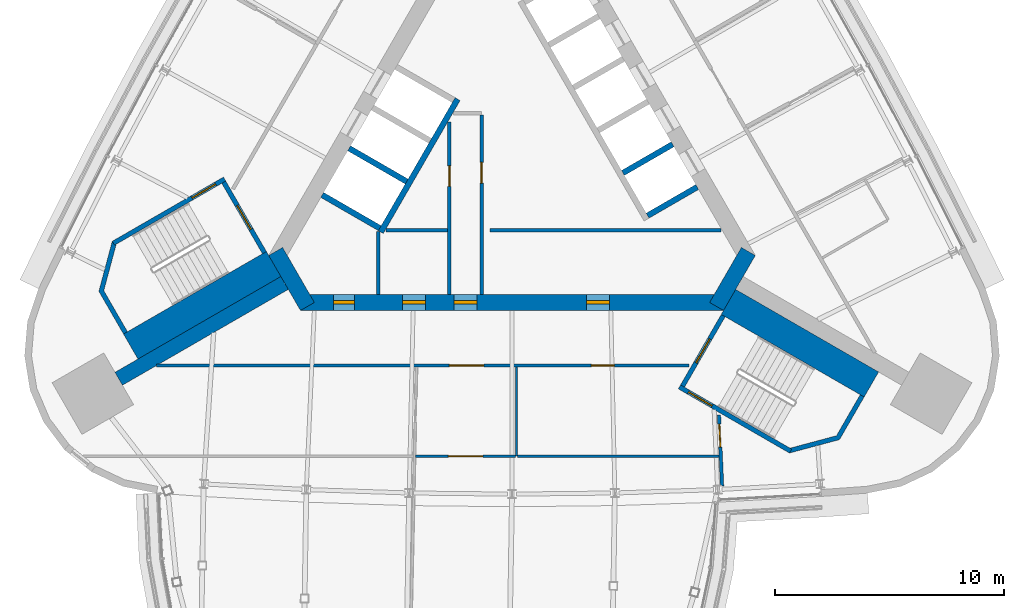
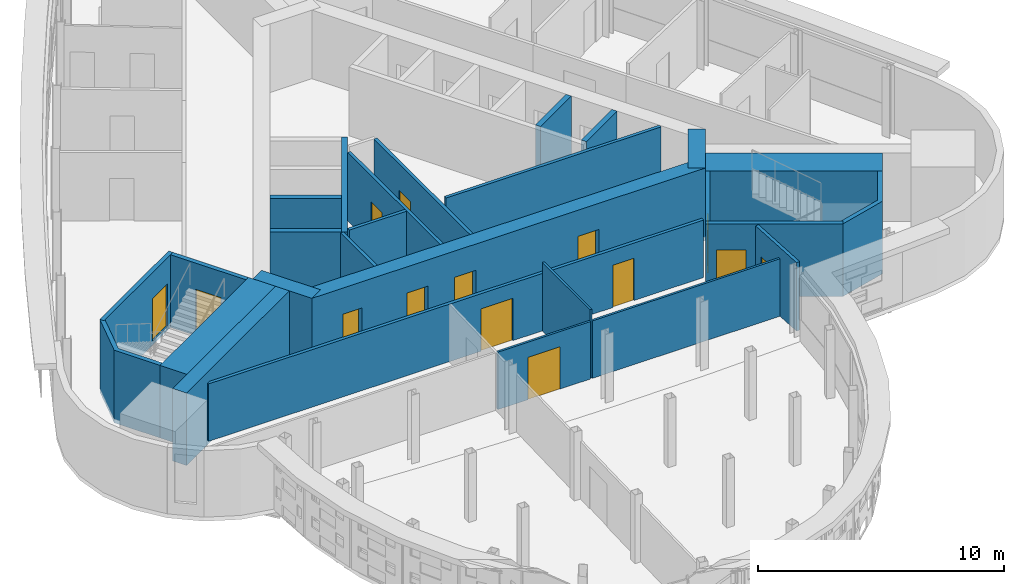
# One storey, part 9 of 14: 27 walls, 14 doors, 14 openings.
"""IFC4 building model written with IfcOpenShell, lengths in metres."""

from ifc_helpers import new_model, si_unit, direction, frame, frame_2d, origin, place, context, subcontext, project, spatial, polyline, rectangle, outline, extrude, material, layer, layer_set, type_object, element, fill, save


model = new_model("IFC4")

# Units and contexts
model_context = context("Model", 3, precision=1e-05, world=origin(), true_north=direction((0.0, 1.0)))
body_context = subcontext(model_context, "Body", "Model", "MODEL_VIEW")
ifc_project = project(units=[si_unit("LENGTHUNIT", "METRE"), si_unit("AREAUNIT", "SQUARE_METRE"), si_unit("VOLUMEUNIT", "CUBIC_METRE"), si_unit("PLANEANGLEUNIT", "RADIAN"), si_unit("MASSUNIT", "GRAM", prefix="KILO")], contexts=[model_context])

# Site, building, storey
site_placement = place(None, origin())
site = spatial("IfcSite", under=ifc_project, at=site_placement, CompositionType="ELEMENT")
building_placement = place(site_placement, origin())
building = spatial("IfcBuilding", under=site, at=building_placement, Name="Noor Cloister Tower", CompositionType="ELEMENT")
storey_placement = place(building_placement, frame((0.0, 0.0, 218.39990234375)))
storey = spatial("IfcBuildingStorey", under=building, at=storey_placement, Name="L56", CompositionType="ELEMENT", Elevation=218.39990234375)

# Walls
ifc_material_1 = material(Name="Concrete C60/75", Category="concrete")
ifc_layer_1 = layer(ifc_material_1, 0.64990234375)
ifc_layer_set_1 = layer_set([ifc_layer_1], Name="Buttress wall 650 C60/75")
wall_type_1 = type_object("IfcWallType", Name="Buttress wall 650 C60/75", PredefinedType="SHEAR", material=ifc_layer_set_1)
wall_1_placement = place(storey_placement, frame((-9.921630859375, -5.728271484375, -0.199951171875), z_axis=(0.0, 0.0, 1.0), x_axis=(-0.866030911543, -0.499990460161, 0.0)))
element("IfcWall", 1, at=wall_1_placement, inside=storey, type_object=wall_type_1, Name="Buttress wall SW L56", PredefinedType="SHEAR", context=body_context, shape_type="SweptSolid", body=[
    extrude(rectangle(XDim=8.358642578125, YDim=0.64990234375, at=frame_2d((4.17919921875, 0.0))), origin(), (0.0, 0.0, 1.0), 3.60009765625),
])
ifc_material_2 = material(Name="Concrete C30/37", Category="concrete")
ifc_layer_2 = layer(ifc_material_2, 0.14990234375)
ifc_layer_set_2 = layer_set([ifc_layer_2], Name="Core partition 150 C30/37")
wall_type_2 = type_object("IfcWallType", Name="Core partition 150 C30/37", PredefinedType="PARTITIONING", material=ifc_layer_set_2)
wall_2_placement = place(storey_placement, frame((-5.82861328125, -3.492431640625, 0.0), z_axis=(0.0, 0.0, 1.0), x_axis=(0.0, -1.0, 0.0)))
element("IfcWall", 2, at=wall_2_placement, inside=storey, type_object=wall_type_2, Name="Core room partition L56 1", PredefinedType="PARTITIONING", context=body_context, shape_type="SweptSolid", body=[
    extrude(rectangle(XDim=2.73583984375, YDim=0.14990234375, at=frame_2d((1.367919921875, 0.0))), origin(), (0.0, 0.0, 1.0), 3.400146484375),
])
wall_3_placement = place(storey_placement, frame((-5.48876953125, -3.42822265625, 0.0), z_axis=(0.0, 0.0, 1.0), x_axis=(1.0, 0.0, 0.0)))
element("IfcWall", 3, at=wall_3_placement, inside=storey, type_object=wall_type_2, Name="Core room partition L56 2", PredefinedType="PARTITIONING", context=body_context, shape_type="SweptSolid", body=[
    extrude(rectangle(XDim=2.68505859375, YDim=0.14990234375, at=frame_2d((1.342529296875, 0.0))), origin(), (0.0, 0.0, 1.0), 3.400146484375),
])

# Wall, opening, door
wall_4_placement = place(storey_placement, frame((-2.728759765625, 1.300048828125, 0.0), z_axis=(0.0, 0.0, 1.0), x_axis=(0.0, -1.0, 0.0)))
wall_4 = element("IfcWall", 4, at=wall_4_placement, inside=storey, type_object=wall_type_2, Name="Core room partition L56 3", PredefinedType="PARTITIONING", context=body_context, shape_type="SweptSolid", body=[
    extrude(rectangle(XDim=7.5283203125, YDim=0.14990234375, at=frame_2d((3.76416015625, 0.0))), origin(), (0.0, 0.0, 1.0), 3.400146484375),
])
opening_1_placement = place(wall_4_placement, frame((1.915283203125, 0.0, 0.0)))
opening_1 = element("IfcOpeningElement", 5, at=opening_1_placement, cuts=wall_4, Name="Opening L56-905", PredefinedType="OPENING", context=body_context, shape_type="SweptSolid", body=[
    extrude(rectangle(XDim=0.89990234375, YDim=2.10009765625, at=frame_2d((0.449951171875, 1.050048828125))), frame((0.0, 0.0849609375, 0.0), z_axis=(0.0, -1.0, 0.0), x_axis=(1.0, 0.0, 0.0)), (0.0, 0.0, 1.0), 0.169921875),
])
ifc_material_3 = material(Name="Steel", Category="steel")
door_type_1 = type_object("IfcDoorType", Name="Core door 900 x 2100 FD120", OperationType="SINGLE_SWING_LEFT", PredefinedType="DOOR", material=ifc_material_3)
door_1_placement = place(opening_1_placement, origin())
door_1 = element("IfcDoor", 6, at=door_1_placement, inside=storey, type_object=door_type_1, Name="Core door 5 L56", OperationType="SINGLE_SWING_LEFT", OverallHeight=2.10009765625, OverallWidth=0.89990234375, PredefinedType="DOOR", context=body_context, shape_type="SweptSolid", body=[
    extrude(rectangle(XDim=0.89990234375, YDim=2.10009765625, at=frame_2d((0.449951171875, 1.050048828125))), frame((0.0, 0.02490234375, 0.0), z_axis=(0.0, -1.0, 0.0), x_axis=(1.0, 0.0, 0.0)), (0.0, 0.0, 1.0), 0.050048828125),
])
fill(opening_1, door_1)

wall_5_placement = place(storey_placement, frame((-1.32861328125, 1.5966796875, 0.0), z_axis=(0.0, 0.0, 1.0), x_axis=(0.0, -1.0, 0.0)))
wall_5 = element("IfcWall", 7, at=wall_5_placement, inside=storey, type_object=wall_type_2, Name="Core room partition L56 5", PredefinedType="PARTITIONING", context=body_context, shape_type="SweptSolid", body=[
    extrude(rectangle(XDim=7.824951171875, YDim=0.14990234375, at=frame_2d((3.91259765625, 0.0))), origin(), (0.0, 0.0, 1.0), 3.400146484375),
])
opening_2_placement = place(wall_5_placement, frame((2.0634765625, 0.0, 0.0)))
opening_2 = element("IfcOpeningElement", 8, at=opening_2_placement, cuts=wall_5, Name="Opening L56-906", PredefinedType="OPENING", context=body_context, shape_type="SweptSolid", body=[
    extrude(rectangle(XDim=0.89990234375, YDim=2.10009765625, at=frame_2d((0.449951171875, 1.050048828125))), frame((0.0, 0.0849609375, 0.0), z_axis=(0.0, -1.0, 0.0), x_axis=(1.0, 0.0, 0.0)), (0.0, 0.0, 1.0), 0.169921875),
])
door_2_placement = place(opening_2_placement, origin())
door_2 = element("IfcDoor", 9, at=door_2_placement, inside=storey, type_object=door_type_1, Name="Core door 6 L56", OperationType="SINGLE_SWING_RIGHT", OverallHeight=2.10009765625, OverallWidth=0.89990234375, PredefinedType="DOOR", context=body_context, shape_type="SweptSolid", body=[
    extrude(rectangle(XDim=0.89990234375, YDim=2.10009765625, at=frame_2d((0.449951171875, 1.050048828125))), frame((0.0, 0.02490234375, 0.0), z_axis=(0.0, -1.0, 0.0), x_axis=(1.0, 0.0, 0.0)), (0.0, 0.0, 1.0), 0.050048828125),
])
fill(opening_2, door_2)

# Wall
wall_6_placement = place(storey_placement, frame((-0.95361328125, -3.42822265625, 0.0), z_axis=(0.0, 0.0, 1.0), x_axis=(1.0, 0.0, 0.0)))
element("IfcWall", 10, at=wall_6_placement, inside=storey, type_object=wall_type_2, Name="Core room partition L56 6", PredefinedType="PARTITIONING", context=body_context, shape_type="SweptSolid", body=[
    extrude(rectangle(XDim=10.07958984375, YDim=0.14990234375, at=frame_2d((5.039794921875, 0.0))), origin(), (0.0, 0.0, 1.0), 3.400146484375),
])

# Wall, openings, doors
ifc_material_4 = material(Name="Concrete C60/75", Category="concrete")
ifc_layer_3 = layer(ifc_material_4, 0.699951171875)
ifc_layer_set_3 = layer_set([ifc_layer_3], Name="Core wall 700 C60/75")
wall_type_3 = type_object("IfcWallType", Name="Core wall 700 C60/75", PredefinedType="SHEAR", material=ifc_layer_set_3)
wall_7_placement = place(storey_placement, frame((-9.228759765625, -6.578125, -0.199951171875), z_axis=(0.0, 0.0, 1.0), x_axis=(1.0, 0.0, 0.0)))
wall_7 = element("IfcWall", 11, at=wall_7_placement, inside=storey, type_object=wall_type_3, Name="Core wall L56 1", PredefinedType="SHEAR", context=body_context, shape_type="SweptSolid", body=[
    extrude(rectangle(XDim=18.45751953125, YDim=0.699951171875, at=frame_2d((9.228759765625, 0.0))), origin(), (0.0, 0.0, 1.0), 3.60009765625),
])
opening_3_placement = place(wall_7_placement, frame((6.699951171875, 0.0, 0.199951171875)))
opening_3 = element("IfcOpeningElement", 12, at=opening_3_placement, cuts=wall_7, Name="Opening L56-901", PredefinedType="OPENING", context=body_context, shape_type="SweptSolid", body=[
    extrude(rectangle(XDim=1.0, YDim=2.10009765625, at=frame_2d((0.5, 1.050048828125))), frame((0.0, 0.35986328125, 0.0), z_axis=(0.0, -1.0, 0.0), x_axis=(1.0, 0.0, 0.0)), (0.0, 0.0, 1.0), 0.719970703125),
])
opening_4_placement = place(wall_7_placement, frame((1.451904296875, 0.0, 0.199951171875)))
opening_4 = element("IfcOpeningElement", 13, at=opening_4_placement, cuts=wall_7, Name="Opening L56-902", PredefinedType="OPENING", context=body_context, shape_type="SweptSolid", body=[
    extrude(rectangle(XDim=0.89990234375, YDim=2.10009765625, at=frame_2d((0.449951171875, 1.050048828125))), frame((0.0, 0.35986328125, 0.0), z_axis=(0.0, -1.0, 0.0), x_axis=(1.0, 0.0, 0.0)), (0.0, 0.0, 1.0), 0.719970703125),
])
opening_5_placement = place(wall_7_placement, frame((4.449951171875, 0.0, 0.199951171875)))
opening_5 = element("IfcOpeningElement", 14, at=opening_5_placement, cuts=wall_7, Name="Opening L56-903", PredefinedType="OPENING", context=body_context, shape_type="SweptSolid", body=[
    extrude(rectangle(XDim=1.0, YDim=2.10009765625, at=frame_2d((0.5, 1.050048828125))), frame((0.0, 0.35986328125, 0.0), z_axis=(0.0, -1.0, 0.0), x_axis=(1.0, 0.0, 0.0)), (0.0, 0.0, 1.0), 0.719970703125),
])
opening_6_placement = place(wall_7_placement, frame((12.4765625, 0.0, 0.199951171875)))
opening_6 = element("IfcOpeningElement", 15, at=opening_6_placement, cuts=wall_7, Name="Opening L56-904", PredefinedType="OPENING", context=body_context, shape_type="SweptSolid", body=[
    extrude(rectangle(XDim=1.0, YDim=2.10009765625, at=frame_2d((0.5, 1.050048828125))), frame((0.0, 0.35986328125, 0.0), z_axis=(0.0, -1.0, 0.0), x_axis=(1.0, 0.0, 0.0)), (0.0, 0.0, 1.0), 0.719970703125),
])
ifc_material_5 = material(Name="Steel", Category="steel")
door_type_2 = type_object("IfcDoorType", Name="Core door 1000 x 2100 FD120", OperationType="SINGLE_SWING_LEFT", PredefinedType="DOOR", material=ifc_material_5)
door_3_placement = place(opening_3_placement, origin())
door_3 = element("IfcDoor", 16, at=door_3_placement, inside=storey, type_object=door_type_2, Name="Core door 1 L56", OperationType="SINGLE_SWING_LEFT", OverallHeight=2.10009765625, OverallWidth=1.0, PredefinedType="DOOR", context=body_context, shape_type="SweptSolid", body=[
    extrude(rectangle(XDim=1.0, YDim=2.10009765625, at=frame_2d((0.5, 1.050048828125))), frame((0.0, 0.074951171875, 0.0), z_axis=(0.0, -1.0, 0.0), x_axis=(1.0, 0.0, 0.0)), (0.0, 0.0, 1.0), 0.14990234375),
])
fill(opening_3, door_3)
ifc_material_6 = material(Name="Steel", Category="steel")
door_type_3 = type_object("IfcDoorType", Name="Core door 1000 x 2100 FD60", OperationType="SINGLE_SWING_LEFT", PredefinedType="DOOR", material=ifc_material_6)
door_4_placement = place(opening_5_placement, origin())
door_4 = element("IfcDoor", 17, at=door_4_placement, inside=storey, type_object=door_type_3, Name="Core door 3 L56", OperationType="SINGLE_SWING_LEFT", OverallHeight=2.10009765625, OverallWidth=1.0, PredefinedType="DOOR", context=body_context, shape_type="SweptSolid", body=[
    extrude(rectangle(XDim=1.0, YDim=2.10009765625, at=frame_2d((0.5, 1.050048828125))), frame((0.0, 0.074951171875, 0.0), z_axis=(0.0, -1.0, 0.0), x_axis=(1.0, 0.0, 0.0)), (0.0, 0.0, 1.0), 0.14990234375),
])
fill(opening_5, door_4)
door_5_placement = place(opening_6_placement, origin())
door_5 = element("IfcDoor", 18, at=door_5_placement, inside=storey, type_object=door_type_3, Name="Core door 4 L56", OperationType="SINGLE_SWING_RIGHT", OverallHeight=2.10009765625, OverallWidth=1.0, PredefinedType="DOOR", context=body_context, shape_type="SweptSolid", body=[
    extrude(rectangle(XDim=1.0, YDim=2.10009765625, at=frame_2d((0.5, 1.050048828125))), frame((0.0, 0.074951171875, 0.0), z_axis=(0.0, -1.0, 0.0), x_axis=(1.0, 0.0, 0.0)), (0.0, 0.0, 1.0), 0.14990234375),
])
fill(opening_6, door_5)
ifc_material_7 = material(Name="Steel", Category="steel")
door_type_4 = type_object("IfcDoorType", Name="Core door 900 x 2100 FD60", OperationType="SINGLE_SWING_LEFT", PredefinedType="DOOR", material=ifc_material_7)
door_6_placement = place(opening_4_placement, origin())
door_6 = element("IfcDoor", 19, at=door_6_placement, inside=storey, type_object=door_type_4, Name="Core door 2 L56", OperationType="SINGLE_SWING_RIGHT", OverallHeight=2.10009765625, OverallWidth=0.89990234375, PredefinedType="DOOR", context=body_context, shape_type="SweptSolid", body=[
    extrude(rectangle(XDim=0.89990234375, YDim=2.10009765625, at=frame_2d((0.449951171875, 1.050048828125))), frame((0.0, 0.074951171875, 0.0), z_axis=(0.0, -1.0, 0.0), x_axis=(1.0, 0.0, 0.0)), (0.0, 0.0, 1.0), 0.14990234375),
])
fill(opening_4, door_6)

# Walls
for number, where, z_axis, x_axis, name in (
    (20, (8.925537109375, -6.753173828125, -0.199951171875), (0.0, 0.0, 1.0), (0.500042739161, 0.866000726912, 0.0), "Core wall L56 2"),
    (21, (-10.311279296875, -4.353271484375, -0.199951171875), (0.0, 0.0, 1.0), (0.500042739161, -0.866000726912, 0.0), "Core wall L56 6"),
):
    element("IfcWall", number, at=place(storey_placement, frame(where, z_axis=z_axis, x_axis=x_axis)), inside=storey, type_object=wall_type_3, Name=name, PredefinedType="SHEAR", context=body_context, shape_type="SweptSolid", body=[
        extrude(rectangle(XDim=2.771240234375, YDim=0.699951171875, at=frame_2d((1.3857421875, 0.0))), origin(), (0.0, 0.0, 1.0), 3.60009765625),
    ])

# Wall, openings, doors
ifc_material_8 = material(Name="Gypsum board partition on steel studs, 150 mm", Category="steel")
ifc_layer_4 = layer(ifc_material_8, 0.14990234375)
ifc_layer_set_4 = layer_set([ifc_layer_4], Name="Flat wall 150")
wall_type_4 = type_object("IfcWallType", Name="Flat wall 150", PredefinedType="PARTITIONING", material=ifc_layer_set_4)
wall_8_placement = place(storey_placement, frame((-15.5068359375, -9.328125, 0.0), z_axis=(0.0, 0.0, 1.0), x_axis=(1.0, 0.0, 0.0)))
wall_8 = element("IfcWall", 22, at=wall_8_placement, inside=storey, type_object=wall_type_4, Name="Wall L56-W11", PredefinedType="PARTITIONING", context=body_context, shape_type="SweptSolid", body=[
    extrude(rectangle(XDim=23.234375, YDim=0.14990234375, at=frame_2d((11.6171875, 0.0))), origin(), (0.0, 0.0, 1.0), 2.85205078125),
])
opening_7_placement = place(wall_8_placement, frame((12.77490234375, 0.0, 0.0)))
opening_7 = element("IfcOpeningElement", 23, at=opening_7_placement, cuts=wall_8, Name="Opening L56-007", PredefinedType="OPENING", context=body_context, shape_type="SweptSolid", body=[
    extrude(rectangle(XDim=1.5, YDim=2.10009765625, at=frame_2d((0.75, 1.050048828125))), frame((0.0, 0.0849609375, 0.0), z_axis=(0.0, -1.0, 0.0), x_axis=(1.0, 0.0, 0.0)), (0.0, 0.0, 1.0), 0.169921875),
])
opening_8_placement = place(wall_8_placement, frame((18.970703125, 0.0, 0.0)))
opening_8 = element("IfcOpeningElement", 24, at=opening_8_placement, cuts=wall_8, Name="Opening L56-011", PredefinedType="OPENING", context=body_context, shape_type="SweptSolid", body=[
    extrude(rectangle(XDim=1.0, YDim=2.10009765625, at=frame_2d((0.5, 1.050048828125))), frame((0.0, 0.0849609375, 0.0), z_axis=(0.0, -1.0, 0.0), x_axis=(1.0, 0.0, 0.0)), (0.0, 0.0, 1.0), 0.169921875),
])
ifc_material_9 = material(Name="Timber door leaf with steel frame", Category="steel")
door_type_5 = type_object("IfcDoorType", Name="Double door 1500 FD60", OperationType="NOTDEFINED", PredefinedType="DOOR", material=ifc_material_9)
door_7_placement = place(opening_7_placement, origin())
door_7 = element("IfcDoor", 25, at=door_7_placement, inside=storey, type_object=door_type_5, Name="Door L56-007", OperationType="DOUBLE_DOOR_SINGLE_SWING", OverallHeight=2.10009765625, OverallWidth=1.5, PredefinedType="DOOR", context=body_context, shape_type="SweptSolid", body=[
    extrude(rectangle(XDim=1.5, YDim=2.10009765625, at=frame_2d((0.75, 1.050048828125))), frame((0.0, 0.02490234375, 0.0), z_axis=(0.0, -1.0, 0.0), x_axis=(1.0, 0.0, 0.0)), (0.0, 0.0, 1.0), 0.050048828125),
])
fill(opening_7, door_7)
ifc_material_10 = material(Name="Timber door leaf with steel frame", Category="steel")
door_type_6 = type_object("IfcDoorType", Name="Interior door 1000 FD60", OperationType="NOTDEFINED", PredefinedType="DOOR", material=ifc_material_10)
door_8_placement = place(opening_8_placement, origin())
door_8 = element("IfcDoor", 26, at=door_8_placement, inside=storey, type_object=door_type_6, Name="Door L56-011", OperationType="SINGLE_SWING_LEFT", OverallHeight=2.10009765625, OverallWidth=1.0, PredefinedType="DOOR", context=body_context, shape_type="SweptSolid", body=[
    extrude(rectangle(XDim=1.0, YDim=2.10009765625, at=frame_2d((0.5, 1.050048828125))), frame((0.0, 0.02490234375, 0.0), z_axis=(0.0, -1.0, 0.0), x_axis=(1.0, 0.0, 0.0)), (0.0, 0.0, 1.0), 0.050048828125),
])
fill(opening_8, door_8)

# Wall, opening, door
wall_9_placement = place(storey_placement, frame((9.165771484375, -14.580810546875, 0.0), z_axis=(0.0, 0.0, 1.0), x_axis=(-0.044258886008, 0.999020095398, 0.0)))
wall_9 = element("IfcWall", 27, at=wall_9_placement, inside=storey, type_object=wall_type_4, Name="Wall L56-W12", PredefinedType="PARTITIONING", context=body_context, shape_type="SweptSolid", body=[
    extrude(rectangle(XDim=3.094482421875, YDim=0.14990234375, at=frame_2d((1.54736328125, 0.0))), origin(), (0.0, 0.0, 1.0), 3.400146484375),
])
opening_9_placement = place(wall_9_placement, frame((1.697265625, 0.0, 0.0)))
opening_9 = element("IfcOpeningElement", 28, at=opening_9_placement, cuts=wall_9, Name="Opening L56-012", PredefinedType="OPENING", context=body_context, shape_type="SweptSolid", body=[
    extrude(rectangle(XDim=1.0, YDim=2.10009765625, at=frame_2d((0.5, 1.050048828125))), frame((0.0, 0.0849609375, 0.0), z_axis=(0.0, -1.0, 0.0), x_axis=(1.0, 0.0, 0.0)), (0.0, 0.0, 1.0), 0.169921875),
])
door_9_placement = place(opening_9_placement, origin())
door_9 = element("IfcDoor", 29, at=door_9_placement, inside=storey, type_object=door_type_6, Name="Door L56-012", OperationType="SINGLE_SWING_RIGHT", OverallHeight=2.10009765625, OverallWidth=1.0, PredefinedType="DOOR", context=body_context, shape_type="SweptSolid", body=[
    extrude(rectangle(XDim=1.0, YDim=2.10009765625, at=frame_2d((0.5, 1.050048828125))), frame((0.0, 0.02490234375, 0.0), z_axis=(0.0, -1.0, 0.0), x_axis=(1.0, 0.0, 0.0)), (0.0, 0.0, 1.0), 0.050048828125),
])
fill(opening_9, door_9)

# Wall
ifc_material_11 = material(Name="Gypsum board partition on steel studs, 100 mm", Category="steel")
ifc_layer_5 = layer(ifc_material_11, 0.10009765625)
ifc_layer_set_5 = layer_set([ifc_layer_5], Name="Partition 100")
wall_type_5 = type_object("IfcWallType", Name="Partition 100", PredefinedType="PARTITIONING", material=ifc_layer_set_5)
wall_10_placement = place(storey_placement, frame((0.199951171875, -9.4033203125, 0.0), z_axis=(0.0, 0.0, 1.0), x_axis=(0.0, -1.0, 0.0)))
element("IfcWall", 30, at=wall_10_placement, inside=storey, type_object=wall_type_5, Name="Wall L56-W14", PredefinedType="PARTITIONING", context=body_context, shape_type="SweptSolid", body=[
    extrude(rectangle(XDim=3.879150390625, YDim=0.10009765625, at=frame_2d((1.939453125, 0.0))), origin(), (0.0, 0.0, 1.0), 3.400146484375),
])

# Wall, opening, door
wall_11_placement = place(storey_placement, frame((-4.201904296875, -13.282470703125, 0.0), z_axis=(0.0, 0.0, 1.0), x_axis=(1.0, 0.0, 0.0)))
wall_11 = element("IfcWall", 31, at=wall_11_placement, inside=storey, type_object=wall_type_5, Name="Wall L56-W16", PredefinedType="PARTITIONING", context=body_context, shape_type="SweptSolid", body=[
    extrude(rectangle(XDim=4.351806640625, YDim=0.10009765625, at=frame_2d((2.17578125, 0.0))), origin(), (0.0, 0.0, 1.0), 2.85205078125),
])
opening_10_placement = place(wall_11_placement, frame((1.42578125, 0.0, 0.0)))
opening_10 = element("IfcOpeningElement", 32, at=opening_10_placement, cuts=wall_11, Name="Opening L56-010", PredefinedType="OPENING", context=body_context, shape_type="SweptSolid", body=[
    extrude(rectangle(XDim=1.5, YDim=2.10009765625, at=frame_2d((0.75, 1.050048828125))), frame((0.0, 0.06005859375, 0.0), z_axis=(0.0, -1.0, 0.0), x_axis=(1.0, 0.0, 0.0)), (0.0, 0.0, 1.0), 0.1201171875),
])
ifc_material_12 = material(Name="Timber door leaf with steel frame", Category="steel")
door_type_7 = type_object("IfcDoorType", Name="Double door 1500", OperationType="NOTDEFINED", PredefinedType="DOOR", material=ifc_material_12)
door_10_placement = place(opening_10_placement, origin())
door_10 = element("IfcDoor", 33, at=door_10_placement, inside=storey, type_object=door_type_7, Name="Door L56-010", OperationType="DOUBLE_DOOR_SINGLE_SWING", OverallHeight=2.10009765625, OverallWidth=1.5, PredefinedType="DOOR", context=body_context, shape_type="SweptSolid", body=[
    extrude(rectangle(XDim=1.5, YDim=2.10009765625, at=frame_2d((0.75, 1.050048828125))), frame((0.0, 0.02490234375, 0.0), z_axis=(0.0, -1.0, 0.0), x_axis=(1.0, 0.0, 0.0)), (0.0, 0.0, 1.0), 0.050048828125),
])
fill(opening_10, door_10)

# Walls
wall_12_placement = place(storey_placement, frame((0.25, -13.282470703125, 0.0), z_axis=(0.0, 0.0, 1.0), x_axis=(1.0, 0.0, 0.0)))
element("IfcWall", 34, at=wall_12_placement, inside=storey, type_object=wall_type_5, Name="Wall L56-W17", PredefinedType="PARTITIONING", context=body_context, shape_type="SweptSolid", body=[
    extrude(rectangle(XDim=8.783203125, YDim=0.10009765625, at=frame_2d((4.3916015625, 0.0))), origin(), (0.0, 0.0, 1.0), 2.85205078125),
])
ifc_material_13 = material(Name="Concrete C60/75", Category="concrete")
ifc_layer_6 = layer(ifc_material_13, 0.25)
ifc_layer_set_6 = layer_set([ifc_layer_6], Name="Shaft wall 250 C60/75")
wall_type_6 = type_object("IfcWallType", Name="Shaft wall 250 C60/75", PredefinedType="PARTITIONING", material=ifc_layer_set_6)
for number, where, z_axis, x_axis, name in (
    (35, (8.081298828125, -1.540771484375, -0.199951171875), (0.0, 0.0, 1.0), (-0.866022959057, -0.500004234368, 0.0), "Lift shaft wall L56 NE 1"),
    (36, (7.00634765625, 0.3212890625, -0.199951171875), (0.0, 0.0, 1.0), (-0.866022959057, -0.500004234368, 0.0), "Lift shaft wall L56 NE 2"),
):
    element("IfcWall", number, at=place(storey_placement, frame(where, z_axis=z_axis, x_axis=x_axis)), inside=storey, type_object=wall_type_6, Name=name, PredefinedType="PARTITIONING", context=body_context, shape_type="SweptSolid", body=[
        extrude(rectangle(XDim=2.5, YDim=0.25, at=frame_2d((1.25, 0.0))), origin(), (0.0, 0.0, 1.0), 3.60009765625),
    ])
for number, where, z_axis, x_axis, name in (
    (37, (-7.106201171875, 0.14794921875, -0.199951171875), (0.0, 0.0, 1.0), (0.866032775405, -0.499987231761, 0.0), "Lift shaft wall L56 NW 5"),
    (38, (-8.28125, -1.88720703125, -0.199951171875), (0.0, 0.0, 1.0), (0.866032775405, -0.499987231761, 0.0), "Lift shaft wall L56 NW 6"),
):
    element("IfcWall", number, at=place(storey_placement, frame(where, z_axis=z_axis, x_axis=x_axis)), inside=storey, type_object=wall_type_6, Name=name, PredefinedType="PARTITIONING", context=body_context, shape_type="SweptSolid", body=[
        extrude(rectangle(XDim=2.89990234375, YDim=0.25, at=frame_2d((1.449951171875, 0.0))), origin(), (0.0, 0.0, 1.0), 3.60009765625),
    ])
wall_13_placement = place(storey_placement, frame((-2.3740234375, 2.29443359375, 0.0), z_axis=(0.0, 0.0, 1.0), x_axis=(-0.500003174267, -0.866023571113, 0.0)))
element("IfcWall", 39, at=wall_13_placement, inside=storey, type_object=wall_type_6, Name="Lift shaft back wall L56 NW", PredefinedType="PARTITIONING", context=body_context, shape_type="SweptSolid", body=[
    extrude(rectangle(XDim=6.7001953125, YDim=0.25, at=frame_2d((3.35009765625, 0.0))), origin(), (0.0, 0.0, 1.0), 3.400146484375),
])
ifc_material_14 = material(Name="Concrete C60/75", Category="concrete")
ifc_layer_7 = layer(ifc_material_14, 1.260986328125)
ifc_layer_set_7 = layer_set([ifc_layer_7], Name="Stair enclosure wall 1261 C60/75")
wall_type_7 = type_object("IfcWallType", Name="Stair enclosure wall 1261 C60/75", PredefinedType="SHEAR", material=ifc_layer_set_7)
for number, where, z_axis, x_axis, name in (
    (40, (-10.399169921875, -4.90087890625, -0.199951171875), (0.0, 0.0, 1.0), (-0.866018442252, -0.500012057535, 0.0), "Stair enclosure wall ST2 L56 riser side"),
    (41, (9.44384765625, -6.555419921875, -0.199951171875), (0.0, 0.0, 1.0), (0.866018442252, -0.500012057535, 0.0), "Stair enclosure wall ST3 L56 riser side"),
):
    element("IfcWall", number, at=place(storey_placement, frame(where, z_axis=z_axis, x_axis=x_axis)), inside=storey, type_object=wall_type_7, Name=name, PredefinedType="SHEAR", context=body_context, shape_type="SweptSolid", body=[
        extrude(rectangle(XDim=7.199951171875, YDim=1.2607421875, at=frame_2d((3.60009765625, 0.0))), origin(), (0.0, 0.0, 1.0), 3.60009765625),
    ])

# Wall, opening, door
ifc_material_15 = material(Name="Concrete C60/75", Category="concrete")
ifc_layer_8 = layer(ifc_material_15, 0.199951171875)
ifc_layer_set_8 = layer_set([ifc_layer_8], Name="Stair enclosure wall 200 C60/75")
wall_type_8 = type_object("IfcWallType", Name="Stair enclosure wall 200 C60/75", PredefinedType="SHEAR", material=ifc_layer_set_8)
wall_14_placement = place(storey_placement, frame((-12.575927734375, -1.33056640625, -0.199951171875), z_axis=(0.0, 0.0, 1.0), x_axis=(0.499970499736, -0.8660424351, 0.0)))
wall_14 = element("IfcWall", 42, at=wall_14_placement, inside=storey, type_object=wall_type_8, Name="Stair enclosure wall ST2 L56 near end", PredefinedType="SHEAR", context=body_context, shape_type="SweptSolid", body=[
    extrude(rectangle(XDim=3.550048828125, YDim=0.199951171875, at=frame_2d((1.77490234375, 0.0))), origin(), (0.0, 0.0, 1.0), 3.60009765625),
])
opening_11_placement = place(wall_14_placement, frame((1.175048828125, 0.0, 0.199951171875)))
opening_11 = element("IfcOpeningElement", 43, at=opening_11_placement, cuts=wall_14, Name="Opening L56-ST2L", PredefinedType="OPENING", context=body_context, shape_type="SweptSolid", body=[
    extrude(rectangle(XDim=1.199951171875, YDim=2.10009765625, at=frame_2d((0.60009765625, 1.050048828125))), frame((0.0, 0.10986328125, 0.0), z_axis=(0.0, -1.0, 0.0), x_axis=(1.0, 0.0, 0.0)), (0.0, 0.0, 1.0), 0.219970703125),
])
ifc_material_16 = material(Name="Steel", Category="steel")
door_type_8 = type_object("IfcDoorType", Name="Stair door 1200 x 2100 FD120", OperationType="SINGLE_SWING_LEFT", PredefinedType="DOOR", material=ifc_material_16)
door_11_placement = place(opening_11_placement, origin())
door_11 = element("IfcDoor", 44, at=door_11_placement, inside=storey, type_object=door_type_8, Name="Stair door ST2 L56", OperationType="SINGLE_SWING_RIGHT", OverallHeight=2.10009765625, OverallWidth=1.199951171875, PredefinedType="DOOR", context=body_context, shape_type="SweptSolid", body=[
    extrude(rectangle(XDim=1.199951171875, YDim=2.10009765625, at=frame_2d((0.60009765625, 1.050048828125))), frame((0.0, 0.02490234375, 0.0), z_axis=(0.0, -1.0, 0.0), x_axis=(1.0, 0.0, 0.0)), (0.0, 0.0, 1.0), 0.050048828125),
])
fill(opening_11, door_11)

wall_15_placement = place(storey_placement, frame((-12.539306640625, -1.194091796875, -0.199951171875), z_axis=(0.0, 0.0, 1.0), x_axis=(-0.866045472092, -0.499965239061, 0.0)))
wall_15 = element("IfcWall", 45, at=wall_15_placement, inside=storey, type_object=wall_type_8, Name="Stair enclosure wall ST2 L56 outer side", PredefinedType="SHEAR", context=body_context, shape_type="SweptSolid", body=[
    extrude(rectangle(XDim=5.60009765625, YDim=0.199951171875, at=frame_2d((2.800048828125, 0.0))), origin(), (0.0, 0.0, 1.0), 3.60009765625),
])
opening_12_placement = place(wall_15_placement, frame((0.449951171875, 0.0, 0.199951171875)))
opening_12 = element("IfcOpeningElement", 46, at=opening_12_placement, cuts=wall_15, Name="Opening L56-ST2C", PredefinedType="OPENING", context=body_context, shape_type="SweptSolid", body=[
    extrude(rectangle(XDim=1.199951171875, YDim=2.10009765625, at=frame_2d((0.60009765625, 1.050048828125))), frame((0.0, 0.10986328125, 0.0), z_axis=(0.0, -1.0, 0.0), x_axis=(1.0, 0.0, 0.0)), (0.0, 0.0, 1.0), 0.219970703125),
])
door_12_placement = place(opening_12_placement, origin())
door_12 = element("IfcDoor", 47, at=door_12_placement, inside=storey, type_object=door_type_8, Name="Stair door ST2 L56", OperationType="SINGLE_SWING_LEFT", OverallHeight=2.10009765625, OverallWidth=1.199951171875, PredefinedType="DOOR", context=body_context, shape_type="SweptSolid", body=[
    extrude(rectangle(XDim=1.199951171875, YDim=2.10009765625, at=frame_2d((0.60009765625, 1.050048828125))), frame((0.0, 0.02490234375, 0.0), z_axis=(0.0, -1.0, 0.0), x_axis=(1.0, 0.0, 0.0)), (0.0, 0.0, 1.0), 0.050048828125),
])
fill(opening_12, door_12)

wall_16_placement = place(storey_placement, frame((7.440185546875, -10.225830078125, -0.199951171875), z_axis=(0.0, 0.0, 1.0), x_axis=(0.500022077904, 0.866012656725, 0.0)))
wall_16 = element("IfcWall", 48, at=wall_16_placement, inside=storey, type_object=wall_type_8, Name="Stair enclosure wall ST3 L56 near end", PredefinedType="SHEAR", context=body_context, shape_type="SweptSolid", body=[
    extrude(rectangle(XDim=3.550048828125, YDim=0.199951171875, at=frame_2d((1.77490234375, 0.0))), origin(), (0.0, 0.0, 1.0), 3.60009765625),
])
opening_13_placement = place(wall_16_placement, frame((1.175048828125, 0.0, 0.199951171875)))
opening_13 = element("IfcOpeningElement", 49, at=opening_13_placement, cuts=wall_16, Name="Opening L56-ST3L", PredefinedType="OPENING", context=body_context, shape_type="SweptSolid", body=[
    extrude(rectangle(XDim=1.199951171875, YDim=2.10009765625, at=frame_2d((0.60009765625, 1.050048828125))), frame((0.0, 0.10986328125, 0.0), z_axis=(0.0, -1.0, 0.0), x_axis=(1.0, 0.0, 0.0)), (0.0, 0.0, 1.0), 0.219970703125),
])
door_13_placement = place(opening_13_placement, origin())
door_13 = element("IfcDoor", 50, at=door_13_placement, inside=storey, type_object=door_type_8, Name="Stair door ST3 L56", OperationType="SINGLE_SWING_RIGHT", OverallHeight=2.10009765625, OverallWidth=1.199951171875, PredefinedType="DOOR", context=body_context, shape_type="SweptSolid", body=[
    extrude(rectangle(XDim=1.199951171875, YDim=2.10009765625, at=frame_2d((0.60009765625, 1.050048828125))), frame((0.0, 0.02490234375, 0.0), z_axis=(0.0, -1.0, 0.0), x_axis=(1.0, 0.0, 0.0)), (0.0, 0.0, 1.0), 0.050048828125),
])
fill(opening_13, door_13)

wall_17_placement = place(storey_placement, frame((7.3037109375, -10.262451171875, -0.199951171875), z_axis=(0.0, 0.0, 1.0), x_axis=(0.866026594901, -0.49999793692, 0.0)))
wall_17 = element("IfcWall", 51, at=wall_17_placement, inside=storey, type_object=wall_type_8, Name="Stair enclosure wall ST3 L56 outer side", PredefinedType="SHEAR", context=body_context, shape_type="SweptSolid", body=[
    extrude(rectangle(XDim=5.60009765625, YDim=0.199951171875, at=frame_2d((2.800048828125, 0.0))), origin(), (0.0, 0.0, 1.0), 3.60009765625),
])
opening_14_placement = place(wall_17_placement, frame((0.449951171875, 0.0, 0.199951171875)))
opening_14 = element("IfcOpeningElement", 52, at=opening_14_placement, cuts=wall_17, Name="Opening L56-ST3C", PredefinedType="OPENING", context=body_context, shape_type="SweptSolid", body=[
    extrude(rectangle(XDim=1.199951171875, YDim=2.10009765625, at=frame_2d((0.60009765625, 1.050048828125))), frame((0.0, 0.10986328125, 0.0), z_axis=(0.0, -1.0, 0.0), x_axis=(1.0, 0.0, 0.0)), (0.0, 0.0, 1.0), 0.219970703125),
])
door_14_placement = place(opening_14_placement, origin())
door_14 = element("IfcDoor", 53, at=door_14_placement, inside=storey, type_object=door_type_8, Name="Stair door ST3 L56", OperationType="SINGLE_SWING_LEFT", OverallHeight=2.10009765625, OverallWidth=1.199951171875, PredefinedType="DOOR", context=body_context, shape_type="SweptSolid", body=[
    extrude(rectangle(XDim=1.199951171875, YDim=2.10009765625, at=frame_2d((0.60009765625, 1.050048828125))), frame((0.0, 0.02490234375, 0.0), z_axis=(0.0, -1.0, 0.0), x_axis=(1.0, 0.0, 0.0)), (0.0, 0.0, 1.0), 0.050048828125),
])
fill(opening_14, door_14)

# Walls
ifc_material_17 = material(Name="Concrete C60/75", Category="concrete")
wall_type_9 = type_object("IfcWallType", Name="Stair far end wall C60/75", PredefinedType="SHEAR", material=ifc_material_17)
wall_18_placement = place(storey_placement, frame((0.0, 0.0, -0.199951171875)))
element("IfcWall", 54, at=wall_18_placement, inside=storey, type_object=wall_type_9, Name="Stair enclosure wall ST2 L56 far end", PredefinedType="SHEAR", context=body_context, shape_type="SweptSolid", body=[
    extrude(outline(polyline([(-17.439208984375, -3.907470703125), (-18.024658203125, -6.093017578125), (-16.94970703125, -7.955078125), (-16.776611328125, -7.85498046875), (-17.81005859375, -6.064697265625), (-17.267333984375, -4.039306640625), (-17.339111328125, -4.08056640625), (-17.339111328125, -4.08056640625), (-17.339111328125, -4.08056640625), (-17.339111328125, -4.08056640625), (-17.339111328125, -4.08056640625), (-17.339111328125, -4.08056640625), (-17.339111328125, -4.08056640625), (-17.339111328125, -4.08056640625), (-17.339111328125, -4.08056640625), (-17.339111328125, -4.08056640625), (-17.339111328125, -4.08056640625), (-17.339111328125, -4.08056640625), (-17.339111328125, -4.08056640625), (-17.339111328125, -4.08056640625), (-17.339111328125, -4.08056640625), (-17.339111328125, -4.08056640625), (-17.339111328125, -4.08056640625), (-17.439208984375, -3.907470703125)])), origin(), (0.0, 0.0, 1.0), 3.60009765625),
])
wall_19_placement = place(storey_placement, frame((0.0, 0.0, -0.199951171875)))
element("IfcWall", 55, at=wall_19_placement, inside=storey, type_object=wall_type_9, Name="Stair enclosure wall ST3 L56 far end", PredefinedType="SHEAR", context=body_context, shape_type="SweptSolid", body=[
    extrude(outline(polyline([(12.103515625, -13.14892578125), (14.2890625, -12.5634765625), (15.364013671875, -10.701416015625), (15.19091796875, -10.601318359375), (14.1572265625, -12.3916015625), (12.131591796875, -12.934326171875), (12.20361328125, -12.975830078125), (12.20361328125, -12.975830078125), (12.20361328125, -12.975830078125), (12.20361328125, -12.975830078125), (12.20361328125, -12.975830078125), (12.20361328125, -12.975830078125), (12.20361328125, -12.975830078125), (12.20361328125, -12.975830078125), (12.20361328125, -12.975830078125), (12.20361328125, -12.975830078125), (12.20361328125, -12.975830078125), (12.20361328125, -12.975830078125), (12.20361328125, -12.975830078125), (12.20361328125, -12.975830078125), (12.20361328125, -12.975830078125), (12.20361328125, -12.975830078125), (12.20361328125, -12.975830078125), (12.103515625, -13.14892578125)])), origin(), (0.0, 0.0, 1.0), 3.60009765625),
])

save(model, "model.ifc")
